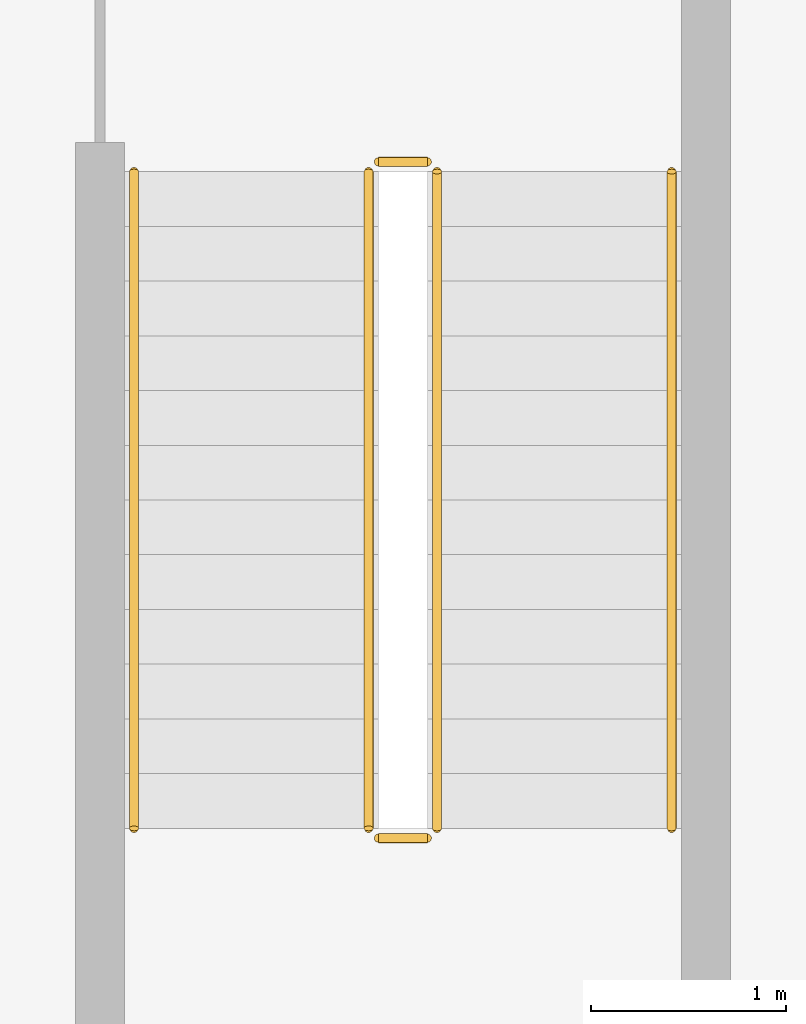
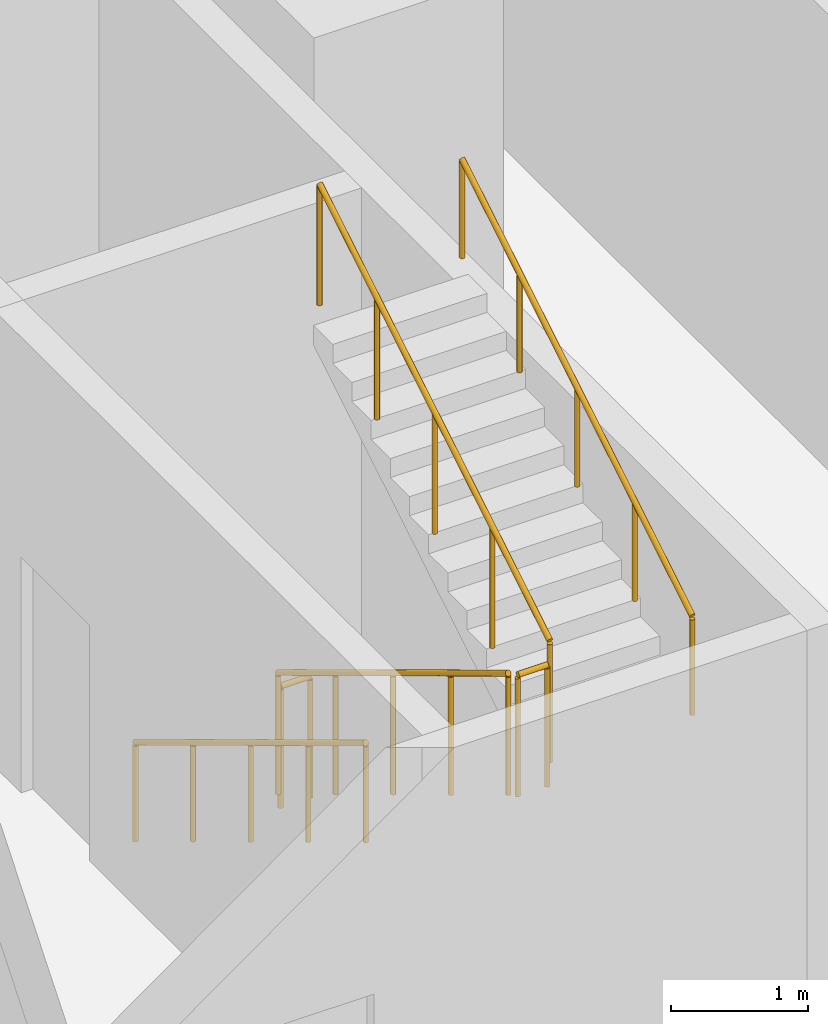
# One storey, part 21 of 25: 6 railings.
"""IFC4 building model written with IfcOpenShell, lengths in metres."""

import ifcopenshell
import ifcopenshell.guid

model = None  # the IFC model being written
_history = None  # IfcOwnerHistory: only IFC2X3 demands one
_inside = {}  # id of a spatial element -> (the spatial element, [elements in it])
_under = {}  # id of a project, library or spatial element -> (it, [spatial elements below it])
_declared = {}  # id of a project -> (the project, [libraries it declares])
_typed = {}  # id of a type object -> (the type object, [elements of that type])
_made_of = {}  # id of a material, layer set ... -> (it, [elements and type objects made of it])


def new_model(schema):
    """Start an empty IFC model of exactly this schema.

    Asked for "IFC4X3", IfcOpenShell would pick the latest addendum, in which some entities
    have other attributes; the version numbers below select the first issue.
    IFC2X3 requires an IfcOwnerHistory on every rooted entity: one is made here for all.
    """
    global model, _history
    if schema == "IFC4X3":
        model = ifcopenshell.file(schema_version=(4, 3, 0, 0))
    else:
        model = ifcopenshell.file(schema=schema)
    _inside.clear()
    _under.clear()
    _declared.clear()
    _typed.clear()
    _made_of.clear()
    _history = None
    if model.schema == "IFC2X3":
        org = make("IfcOrganization", Name="unknown")
        user = make(
            "IfcPersonAndOrganization",
            ThePerson=make("IfcPerson", FamilyName="unknown"),
            TheOrganization=org,
        )
        app = make(
            "IfcApplication",
            ApplicationDeveloper=org,
            Version="unknown",
            ApplicationFullName="unknown",
            ApplicationIdentifier="unknown",
        )
        _history = make(
            "IfcOwnerHistory",
            OwningUser=user,
            OwningApplication=app,
            ChangeAction="ADDED",
            CreationDate=0,
        )
    return model


def make(cls, **values):
    """One entity of the class cls with the attributes given. An attribute that is None is left unset."""
    return model.create_entity(
        cls, **{name: value for name, value in values.items() if value is not None}
    )


def rooted(cls, **values):
    """An entity with a GlobalId (a new one), such as an element, a storey or a relation."""
    return make(cls, GlobalId=ifcopenshell.guid.new(), OwnerHistory=_history, **values)


def si_unit(unit_type, name, prefix=None):
    """IfcSIUnit, for example si_unit("LENGTHUNIT", "METRE", prefix="MILLI")."""
    return make("IfcSIUnit", UnitType=unit_type, Prefix=prefix, Name=name)


def assignment(units):
    """IfcUnitAssignment: the units of a project."""
    return None if units is None else make("IfcUnitAssignment", Units=units)


def point(xyz):
    """IfcCartesianPoint."""
    return None if xyz is None else make("IfcCartesianPoint", Coordinates=xyz)


def direction(xyz):
    """IfcDirection."""
    return None if xyz is None else make("IfcDirection", DirectionRatios=xyz)


def frame(location, z_axis=None, x_axis=None):
    """IfcAxis2Placement3D, a coordinate frame: its origin and axes. An axis left out is left unset."""
    return make(
        "IfcAxis2Placement3D",
        Location=point(location),
        Axis=direction(z_axis),
        RefDirection=direction(x_axis),
    )


def frame_2d(location, x_axis=None):
    """IfcAxis2Placement2D, a coordinate frame in the plane: its origin and x axis."""
    return make(
        "IfcAxis2Placement2D", Location=point(location), RefDirection=direction(x_axis)
    )


def origin():
    """The frame at (0, 0, 0) with its axes left unset."""
    return frame((0.0, 0.0, 0.0))


def origin_2d():
    """The frame at (0, 0) in the plane with its x axis left unset."""
    return frame_2d((0.0, 0.0))


def place(relative_to, where):
    """IfcLocalPlacement: puts the frame where relative to a parent placement (None: the world)."""
    return make(
        "IfcLocalPlacement", PlacementRelTo=relative_to, RelativePlacement=where
    )


def context(
    kind, dimensions, precision=None, world=None, true_north=None, identifier=None
):
    """IfcGeometricRepresentationContext, for example the 3D "Model" context."""
    return make(
        "IfcGeometricRepresentationContext",
        ContextIdentifier=identifier,
        ContextType=kind,
        CoordinateSpaceDimension=dimensions,
        Precision=precision,
        WorldCoordinateSystem=world,
        TrueNorth=true_north,
    )


def subcontext(parent, identifier, kind, view, scale=None):
    """IfcGeometricRepresentationSubContext, for example "Body" below "Model"."""
    return make(
        "IfcGeometricRepresentationSubContext",
        ContextIdentifier=identifier,
        ContextType=kind,
        ParentContext=parent,
        TargetScale=scale,
        TargetView=view,
    )


def project(units=None, contexts=None):
    """IfcProject with its units and contexts."""
    return rooted(
        "IfcProject",
        Name="project",
        RepresentationContexts=contexts,
        UnitsInContext=assignment(units),
    )


def spatial(cls, under=None, at=None, **own):
    """A site, building, storey or space (cls), placed at a placement, below another one or the project."""
    s = rooted(cls, ObjectPlacement=at, **own)
    if under is not None:
        _under.setdefault(under.id(), (under, []))[1].append(s)
    return s


def profile(cls, at=None, kind="AREA", **sizes):
    """A parametric profile (cls). Its sizes go by their IFC names, for example OverallWidth=200.0."""
    return make(cls, ProfileType=kind, Position=at, **sizes)


def circle(**sizes):
    """IfcCircleProfileDef."""
    return profile("IfcCircleProfileDef", **sizes)


def extrude(swept, where, along, depth):
    """IfcExtrudedAreaSolid: the profile swept, set in the frame where, extruded along a direction by depth."""
    return make(
        "IfcExtrudedAreaSolid",
        SweptArea=swept,
        Position=where,
        ExtrudedDirection=direction(along),
        Depth=depth,
    )


def shape(context_of_items, identifier, shape_type, items):
    """IfcShapeRepresentation: the items that make up one representation, for example the "Body"."""
    return make(
        "IfcShapeRepresentation",
        ContextOfItems=context_of_items,
        RepresentationIdentifier=identifier,
        RepresentationType=shape_type,
        Items=items,
    )


def material(Name=None, Category=None):
    """IfcMaterial."""
    return make("IfcMaterial", Name=Name, Category=Category)


def made_of(thing, what):
    """Note that an element or type object is made of a material, layer set ...; save() writes the relation."""
    if what is not None:
        _made_of.setdefault(what.id(), (what, []))[1].append(thing)
    return thing


def type_object(cls, material=None, **own):
    """A type object (cls), such as IfcWallType, which elements share."""
    return made_of(rooted(cls, **own), material)


def element(
    cls,
    number,
    at=None,
    inside=None,
    cuts=None,
    type_object=None,
    material=None,
    context=None,
    identifier="Body",
    shape_type=None,
    held_by="IfcProductDefinitionShape",
    body=None,
    shapes=None,
    **own,
):
    """One element of the class cls, such as IfcWall. Its Tag is "e" and its number.

    at: its placement. inside: the storey or other place that contains it. cuts: it is an
    opening in that element (IfcRelVoidsElement). A single representation is given by context,
    identifier, shape_type and body (its items); several are given by shapes. held_by: the class
    of the entity that holds the representations. save() writes the other relations.
    """
    e = rooted(cls, Tag="e%d" % number, ObjectPlacement=at, **own)
    if body is not None:
        shapes = [shape(context, identifier, shape_type, body)]
    if shapes is not None:
        e.Representation = make(held_by, Representations=shapes)
    if inside is not None:
        _inside.setdefault(inside.id(), (inside, []))[1].append(e)
    if cuts is not None:
        rooted(
            "IfcRelVoidsElement", RelatingBuildingElement=cuts, RelatedOpeningElement=e
        )
    if type_object is not None:
        _typed.setdefault(type_object.id(), (type_object, []))[1].append(e)
    return made_of(e, material)


def aggregate(whole, parts):
    """IfcRelAggregates: a whole, such as a stair, and the parts it consists of."""
    return rooted("IfcRelAggregates", RelatingObject=whole, RelatedObjects=parts)


def save(model, path):
    """Write the relations noted so far, then the file.

    IfcRelAggregates (storeys below a building ...), IfcRelContainedInSpatialStructure (elements
    in a storey), IfcRelDefinesByType, IfcRelAssociatesMaterial and IfcRelDeclares: one each for
    every whole, place, type object, material and project.
    """
    for whole, parts in _under.values():
        aggregate(whole, parts)
    for where, things in _inside.values():
        rooted(
            "IfcRelContainedInSpatialStructure",
            RelatedElements=things,
            RelatingStructure=where,
        )
    for kind, things in _typed.values():
        rooted("IfcRelDefinesByType", RelatedObjects=things, RelatingType=kind)
    for what, things in _made_of.values():
        rooted("IfcRelAssociatesMaterial", RelatedObjects=things, RelatingMaterial=what)
    for by, libraries in _declared.values():
        rooted("IfcRelDeclares", RelatingContext=by, RelatedDefinitions=libraries)
    model.write(path)


model = new_model("IFC4")

# Units and contexts
model_context = context("Model", 3, precision=1e-05, world=origin(), true_north=direction((0.0, 1.0)))
body_context = subcontext(model_context, "Body", "Model", "MODEL_VIEW")
ifc_project = project(units=[si_unit("LENGTHUNIT", "METRE"), si_unit("AREAUNIT", "SQUARE_METRE"), si_unit("VOLUMEUNIT", "CUBIC_METRE"), si_unit("PLANEANGLEUNIT", "RADIAN"), si_unit("MASSUNIT", "GRAM", prefix="KILO")], contexts=[model_context])

# Site, building, storey
site_placement = place(None, origin())
site = spatial("IfcSite", under=ifc_project, at=site_placement, CompositionType="ELEMENT")
building_placement = place(site_placement, origin())
building = spatial("IfcBuilding", under=site, at=building_placement, Name="Mahtab Terrace Research Tower", CompositionType="ELEMENT")
storey_placement = place(building_placement, frame((0.0, 0.0, 41.60009765625)))
storey = spatial("IfcBuildingStorey", under=building, at=storey_placement, Name="L09", CompositionType="ELEMENT", Elevation=41.60009765625)

# Railings
ifc_material = material(Name="Stainless steel AISI 304", Category="steel")
railing_type_1 = type_object("IfcRailingType", Name="Stair guard 1100", PredefinedType="GUARDRAIL", material=ifc_material)
railing_1_placement = place(storey_placement, frame((2.949951171875, -4.175048828125, 0.169189453125)))
element("IfcRailing", 1, at=railing_1_placement, inside=storey, type_object=railing_type_1, Name="L09 ST2 stair guard 1", PredefinedType="GUARDRAIL", context=body_context, shape_type="SweptSolid", body=[
    extrude(circle(Radius=0.02392578125, at=origin_2d()), frame((0.0, 0.0, 1.076171875), z_axis=(0.0, -0.855820338506, 0.51727318527), x_axis=(1.0, 0.0, 0.0)), (0.0, 0.0, 1.0), 3.92578125),
    extrude(circle(Radius=0.02099609375, at=origin_2d()), origin(), (0.0, 0.0, 1.0), 1.052001953125),
    extrude(circle(Radius=0.02099609375, at=origin_2d()), frame((0.0, -0.83984375, 0.5078125)), (0.0, 0.0, 1.0), 1.052001953125),
    extrude(circle(Radius=0.02099609375, at=origin_2d()), frame((0.0, -1.679931640625, 1.015380859375)), (0.0, 0.0, 1.0), 1.052001953125),
    extrude(circle(Radius=0.02099609375, at=origin_2d()), frame((0.0, -2.52001953125, 1.52294921875)), (0.0, 0.0, 1.0), 1.052001953125),
    extrude(circle(Radius=0.02099609375, at=origin_2d()), frame((0.0, -3.35986328125, 2.03076171875)), (0.0, 0.0, 1.0), 1.052001953125),
])
railing_2_placement = place(storey_placement, frame((3.0, -7.5849609375, 2.199951171875)))
element("IfcRailing", 2, at=railing_2_placement, inside=storey, type_object=railing_type_1, Name="L09 ST2 stair guard 2", PredefinedType="GUARDRAIL", context=body_context, shape_type="SweptSolid", body=[
    extrude(circle(Radius=0.02392578125, at=origin_2d()), frame((0.0, 0.0, 1.076171875), z_axis=(1.0, 0.0, 0.0), x_axis=(0.0, 1.0, 0.0)), (0.0, 0.0, 1.0), 0.25),
    extrude(circle(Radius=0.02099609375, at=origin_2d()), origin(), (0.0, 0.0, 1.0), 1.052001953125),
    extrude(circle(Radius=0.02099609375, at=origin_2d()), frame((0.25, 0.0, 0.0)), (0.0, 0.0, 1.0), 1.052001953125),
])
railing_3_placement = place(storey_placement, frame((3.300048828125, -7.534912109375, 2.369140625)))
element("IfcRailing", 3, at=railing_3_placement, inside=storey, type_object=railing_type_1, Name="L09 ST2 stair guard 3", PredefinedType="GUARDRAIL", context=body_context, shape_type="SweptSolid", body=[
    extrude(circle(Radius=0.02392578125, at=origin_2d()), frame((0.0, 0.0, 1.076171875), z_axis=(0.0, 0.855820338506, 0.51727318527), x_axis=(-1.0, 0.0, 0.0)), (0.0, 0.0, 1.0), 3.92578125),
    extrude(circle(Radius=0.02099609375, at=origin_2d()), origin(), (0.0, 0.0, 1.0), 1.052001953125),
    extrude(circle(Radius=0.02099609375, at=origin_2d()), frame((0.0, 0.83984375, 0.5078125)), (0.0, 0.0, 1.0), 1.052001953125),
    extrude(circle(Radius=0.02099609375, at=origin_2d()), frame((0.0, 1.679931640625, 1.015380859375)), (0.0, 0.0, 1.0), 1.052001953125),
    extrude(circle(Radius=0.02099609375, at=origin_2d()), frame((0.0, 2.52001953125, 1.52294921875)), (0.0, 0.0, 1.0), 1.052001953125),
    extrude(circle(Radius=0.02099609375, at=origin_2d()), frame((0.0, 3.35986328125, 2.03076171875)), (0.0, 0.0, 1.0), 1.052001953125),
])
railing_4_placement = place(storey_placement, frame((3.0, -4.125, 0.0)))
element("IfcRailing", 4, at=railing_4_placement, inside=storey, type_object=railing_type_1, Name="L09 ST2 stair guard 4", PredefinedType="GUARDRAIL", context=body_context, shape_type="SweptSolid", body=[
    extrude(circle(Radius=0.02392578125, at=origin_2d()), frame((0.0, 0.0, 1.076171875), z_axis=(1.0, 0.0, 0.0), x_axis=(0.0, 1.0, 0.0)), (0.0, 0.0, 1.0), 0.25),
    extrude(circle(Radius=0.02099609375, at=origin_2d()), origin(), (0.0, 0.0, 1.0), 1.052001953125),
    extrude(circle(Radius=0.02099609375, at=origin_2d()), frame((0.25, 0.0, 0.0)), (0.0, 0.0, 1.0), 1.052001953125),
])
railing_type_2 = type_object("IfcRailingType", Name="Stair handrail 900", PredefinedType="HANDRAIL", material=ifc_material)
railing_5_placement = place(storey_placement, frame((1.75, -4.175048828125, 0.169189453125)))
element("IfcRailing", 5, at=railing_5_placement, inside=storey, type_object=railing_type_2, Name="L09 ST2 stair handrail 1", PredefinedType="HANDRAIL", context=body_context, shape_type="SweptSolid", body=[
    extrude(circle(Radius=0.02392578125, at=origin_2d()), frame((0.0, 0.0, 0.8759765625), z_axis=(0.0, -0.855820338506, 0.51727318527), x_axis=(1.0, 0.0, 0.0)), (0.0, 0.0, 1.0), 3.92578125),
    extrude(circle(Radius=0.02099609375, at=origin_2d()), origin(), (0.0, 0.0, 1.0), 0.851806640625),
    extrude(circle(Radius=0.02099609375, at=origin_2d()), frame((0.0, -0.83984375, 0.5078125)), (0.0, 0.0, 1.0), 0.851806640625),
    extrude(circle(Radius=0.02099609375, at=origin_2d()), frame((0.0, -1.679931640625, 1.015380859375)), (0.0, 0.0, 1.0), 0.851806640625),
    extrude(circle(Radius=0.02099609375, at=origin_2d()), frame((0.0, -2.52001953125, 1.52294921875)), (0.0, 0.0, 1.0), 0.851806640625),
    extrude(circle(Radius=0.02099609375, at=origin_2d()), frame((0.0, -3.35986328125, 2.03076171875)), (0.0, 0.0, 1.0), 0.851806640625),
])
railing_6_placement = place(storey_placement, frame((4.5, -7.534912109375, 2.369140625)))
element("IfcRailing", 6, at=railing_6_placement, inside=storey, type_object=railing_type_2, Name="L09 ST2 stair handrail 2", PredefinedType="HANDRAIL", context=body_context, shape_type="SweptSolid", body=[
    extrude(circle(Radius=0.02392578125, at=origin_2d()), frame((0.0, 0.0, 0.8759765625), z_axis=(0.0, 0.855820338506, 0.51727318527), x_axis=(-1.0, 0.0, 0.0)), (0.0, 0.0, 1.0), 3.92578125),
    extrude(circle(Radius=0.02099609375, at=origin_2d()), origin(), (0.0, 0.0, 1.0), 0.851806640625),
    extrude(circle(Radius=0.02099609375, at=origin_2d()), frame((0.0, 0.83984375, 0.5078125)), (0.0, 0.0, 1.0), 0.851806640625),
    extrude(circle(Radius=0.02099609375, at=origin_2d()), frame((0.0, 1.679931640625, 1.015380859375)), (0.0, 0.0, 1.0), 0.851806640625),
    extrude(circle(Radius=0.02099609375, at=origin_2d()), frame((0.0, 2.52001953125, 1.52294921875)), (0.0, 0.0, 1.0), 0.851806640625),
    extrude(circle(Radius=0.02099609375, at=origin_2d()), frame((0.0, 3.35986328125, 2.03076171875)), (0.0, 0.0, 1.0), 0.851806640625),
])

save(model, "model.ifc")
